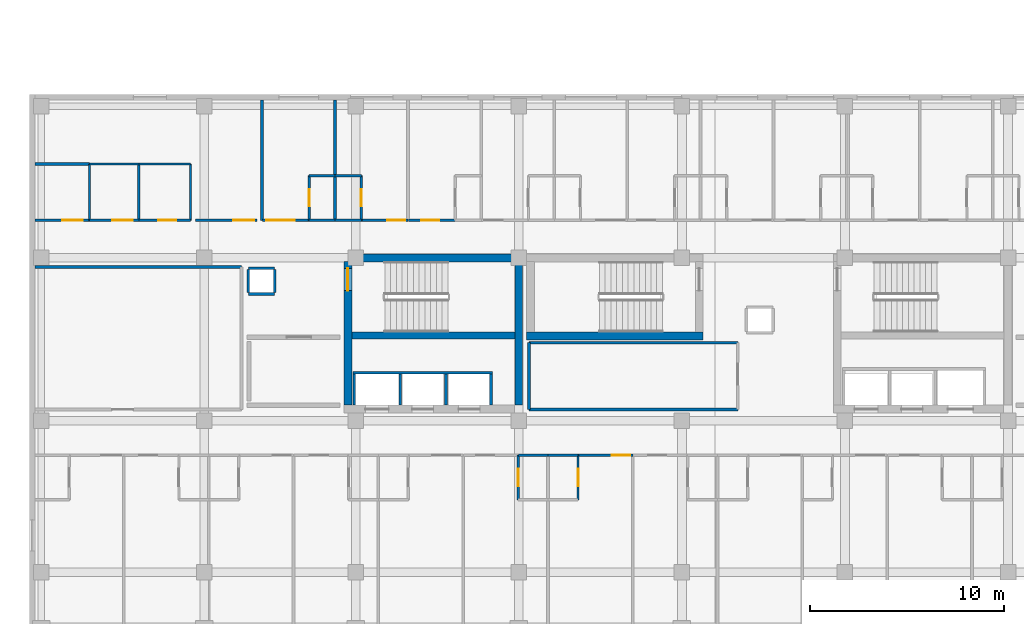
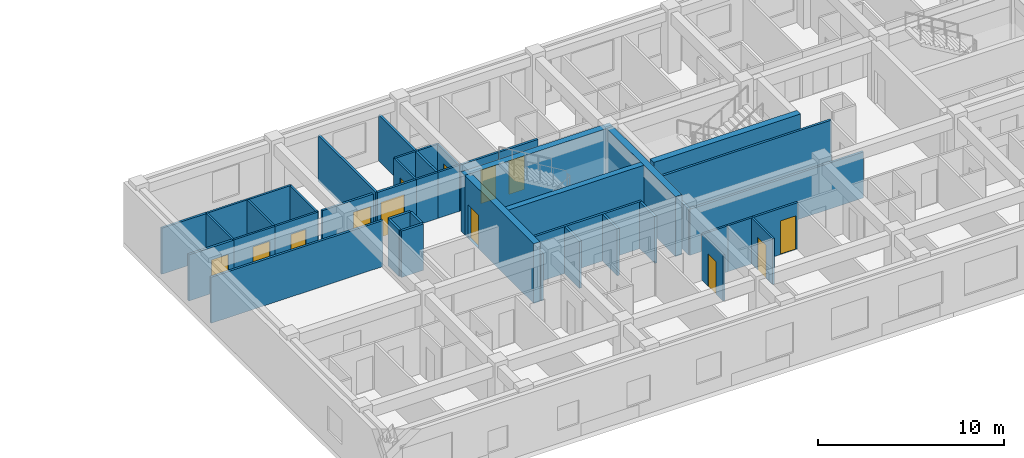
# One storey, part 96 of 127: 44 walls, 13 doors, 13 openings.
"""IFC4 building model written with IfcOpenShell, lengths in metres."""

from ifc_helpers import new_model, si_unit, direction, frame, frame_2d, origin, place, context, subcontext, project, spatial, rectangle, extrude, material, layer, layer_set, type_object, element, fill, save


model = new_model("IFC4")

# Units and contexts
model_context = context("Model", 3, precision=1e-05, world=origin(), true_north=direction((0.0, 1.0)))
body_context = subcontext(model_context, "Body", "Model", "MODEL_VIEW")
ifc_project = project(units=[si_unit("LENGTHUNIT", "METRE"), si_unit("AREAUNIT", "SQUARE_METRE"), si_unit("VOLUMEUNIT", "CUBIC_METRE"), si_unit("PLANEANGLEUNIT", "RADIAN"), si_unit("MASSUNIT", "GRAM", prefix="KILO")], contexts=[model_context])

# Site, building, storey
site_placement = place(None, origin())
site = spatial("IfcSite", under=ifc_project, at=site_placement, CompositionType="ELEMENT")
building_placement = place(site_placement, origin())
building = spatial("IfcBuilding", under=site, at=building_placement, Name="Zayran Congress Hotel", CompositionType="ELEMENT")
storey_placement = place(building_placement, frame((0.0, 0.0, 10.800048828125)))
storey = spatial("IfcBuildingStorey", under=building, at=storey_placement, Name="L02", CompositionType="ELEMENT", Elevation=10.800048828125)

# Wall
ifc_material_1 = material(Name="Concrete C40/50", Category="concrete")
ifc_layer_1 = layer(ifc_material_1, 0.39990234375)
ifc_layer_set_1 = layer_set([ifc_layer_1], Name="Concrete C40/50")
wall_type_1 = type_object("IfcWallType", Name="WL-SH-400", PredefinedType="SHEAR", material=ifc_layer_set_1)
wall_1_placement = place(storey_placement, frame((33.800048828125, 25.5849609375, 0.0), z_axis=(0.0, 0.0, 1.0), x_axis=(-1.0, 0.0, 0.0)))
element("IfcWall", 1, at=wall_1_placement, inside=storey, type_object=wall_type_1, Name="CWALL-C-V5W-L02-N", PredefinedType="SHEAR", context=body_context, shape_type="SweptSolid", body=[
    extrude(rectangle(XDim=9.199951171875, YDim=0.39990234375, at=frame_2d((4.60009765625, 0.0))), origin(), (0.0, 0.0, 1.0), 3.919921875),
])

# Wall, opening, door
wall_2_placement = place(storey_placement, frame((24.800048828125, 25.39990234375, 0.0), z_axis=(0.0, 0.0, 1.0), x_axis=(0.0, -1.0, 0.0)))
wall_2 = element("IfcWall", 2, at=wall_2_placement, inside=storey, type_object=wall_type_1, Name="CWALL-C-V5W-L02-W", PredefinedType="SHEAR", context=body_context, shape_type="SweptSolid", body=[
    extrude(rectangle(XDim=7.39990234375, YDim=0.39990234375, at=frame_2d((3.699951171875, 0.0))), origin(), (0.0, 0.0, 1.0), 3.919921875),
])
opening_1_placement = place(wall_2_placement, frame((0.35009765625, 0.0, 0.0)))
opening_1 = element("IfcOpeningElement", 3, at=opening_1_placement, cuts=wall_2, Name="Opening DR-FD-90", PredefinedType="OPENING", context=body_context, shape_type="SweptSolid", body=[
    extrude(rectangle(XDim=1.14990234375, YDim=2.199951171875, at=frame_2d((0.574951171875, 1.10009765625))), frame((0.0, 0.2099609375, 0.0), z_axis=(0.0, -1.0, 0.0), x_axis=(1.0, 0.0, 0.0)), (0.0, 0.0, 1.0), 0.419921875),
])
ifc_material_2 = material(Name="Painted steel fire door assembly", Category="steel")
door_type_1 = type_object("IfcDoorType", Name="TP-DR-FD-90", OperationType="NOTDEFINED", PredefinedType="DOOR", material=ifc_material_2)
door_1_placement = place(opening_1_placement, origin())
door_1 = element("IfcDoor", 4, at=door_1_placement, inside=storey, type_object=door_type_1, Name="ST-01 Exit Stair Door L02", OperationType="SINGLE_SWING_LEFT", OverallHeight=2.199951171875, OverallWidth=1.14990234375, PredefinedType="DOOR", context=body_context, shape_type="SweptSolid", body=[
    extrude(rectangle(XDim=1.14990234375, YDim=2.199951171875, at=frame_2d((0.574951171875, 1.10009765625))), frame((0.0, 0.02490234375, 0.0), z_axis=(0.0, -1.0, 0.0), x_axis=(1.0, 0.0, 0.0)), (0.0, 0.0, 1.0), 0.050048828125),
])
fill(opening_1, door_1)

# Walls
wall_3_placement = place(storey_placement, frame((33.60009765625, 18.0, 0.0), z_axis=(0.0, 0.0, 1.0), x_axis=(0.0, 1.0, 0.0)))
element("IfcWall", 5, at=wall_3_placement, inside=storey, type_object=wall_type_1, Name="CWALL-C-V5W-L02-E", PredefinedType="SHEAR", context=body_context, shape_type="SweptSolid", body=[
    extrude(rectangle(XDim=7.39990234375, YDim=0.39990234375, at=frame_2d((3.699951171875, 0.0))), origin(), (0.0, 0.0, 1.0), 3.919921875),
])
wall_4_placement = place(storey_placement, frame((34.0, 21.56005859375, 0.0), z_axis=(0.0, 0.0, 1.0), x_axis=(1.0, 0.0, 0.0)))
element("IfcWall", 6, at=wall_4_placement, inside=storey, type_object=wall_type_1, Name="CWALL-C-V5M-L02-S", PredefinedType="SHEAR", context=body_context, shape_type="SweptSolid", body=[
    extrude(rectangle(XDim=9.10009765625, YDim=0.39990234375, at=frame_2d((4.550048828125, 0.0))), origin(), (0.0, 0.0, 1.0), 3.919921875),
])
ifc_layer_2 = layer(ifc_material_1, 0.35009765625)
ifc_layer_set_2 = layer_set([ifc_layer_2], Name="Concrete C40/50")
wall_type_2 = type_object("IfcWallType", Name="WL-SH-350", PredefinedType="SHEAR", material=ifc_layer_set_2)
wall_5_placement = place(storey_placement, frame((25.0, 21.5849609375, 0.0), z_axis=(0.0, 0.0, 1.0), x_axis=(1.0, 0.0, 0.0)))
element("IfcWall", 7, at=wall_5_placement, inside=storey, type_object=wall_type_2, Name="CWALL-C-V5W-L02-SPN", PredefinedType="SHEAR", context=body_context, shape_type="SweptSolid", body=[
    extrude(rectangle(XDim=8.39990234375, YDim=0.35009765625, at=frame_2d((4.199951171875, 0.0))), origin(), (0.0, 0.0, 1.0), 3.919921875),
])
ifc_material_3 = material(Name="Hospitality guestroom acoustic partition", Category="gypsum")
ifc_layer_3 = layer(ifc_material_3, 0.139892578125)
ifc_layer_set_3 = layer_set([ifc_layer_3], Name="Hospitality guestroom acoustic partition")
wall_type_3 = type_object("IfcWallType", Name="WL-PT-140", PredefinedType="PARTITIONING", material=ifc_layer_set_3)
for number, where, z_axis, x_axis, name in (
    (8, (25.1298828125, 18.0, 0.0), (0.0, 0.0, 1.0), (0.0, 1.0, 0.0), "LSHW-C-V5W-L02-W"),
    (9, (27.5, 18.0, 0.0), (0.0, 0.0, 1.0), (0.0, 1.0, 0.0), "LSHW-C-V5W-L02-DIV1"),
    (10, (29.85009765625, 18.0, 0.0), (0.0, 0.0, 1.0), (0.0, 1.0, 0.0), "LSHW-C-V5W-L02-DIV2"),
    (11, (32.169921875, 18.0, 0.0), (0.0, 0.0, 1.0), (0.0, 1.0, 0.0), "LSHW-C-V5W-L02-E"),
):
    element("IfcWall", number, at=place(storey_placement, frame(where, z_axis=z_axis, x_axis=x_axis)), inside=storey, type_object=wall_type_3, Name=name, PredefinedType="PARTITIONING", context=body_context, shape_type="SweptSolid", body=[
        extrude(rectangle(XDim=1.60009765625, YDim=0.139892578125, at=frame_2d((0.800048828125, 0.0))), origin(), (0.0, 0.0, 1.0), 3.070068359375),
    ])
wall_6_placement = place(storey_placement, frame((25.06005859375, 19.669921875, 0.0), z_axis=(0.0, 0.0, 1.0), x_axis=(1.0, 0.0, 0.0)))
element("IfcWall", 12, at=wall_6_placement, inside=storey, type_object=wall_type_3, Name="LSHW-C-V5W-L02-N", PredefinedType="PARTITIONING", context=body_context, shape_type="SweptSolid", body=[
    extrude(rectangle(XDim=7.179931640625, YDim=0.139892578125, at=frame_2d((3.58984375, 0.0))), origin(), (0.0, 0.0, 1.0), 3.070068359375),
])

# Wall, opening, door
wall_7_placement = place(storey_placement, frame((36.64990234375, 15.419921875, 0.0), z_axis=(0.0, 0.0, 1.0), x_axis=(1.0, 0.0, 0.0)))
wall_7 = element("IfcWall", 13, at=wall_7_placement, inside=storey, type_object=wall_type_3, Name="IW-L02-0522", PredefinedType="PARTITIONING", context=body_context, shape_type="SweptSolid", body=[
    extrude(rectangle(XDim=2.819091796875, YDim=0.139892578125, at=frame_2d((1.40966796875, 0.0))), origin(), (0.0, 0.0, 1.0), 3.02001953125),
])
opening_2_placement = place(wall_7_placement, frame((1.739013671875, 0.0, 0.0)))
opening_2 = element("IfcOpeningElement", 14, at=opening_2_placement, cuts=wall_7, Name="Opening DR-GR-01", PredefinedType="OPENING", context=body_context, shape_type="SweptSolid", body=[
    extrude(rectangle(XDim=0.93994140625, YDim=2.199951171875, at=frame_2d((0.469970703125, 1.10009765625))), frame((0.0, 0.079833984375, 0.0), z_axis=(0.0, -1.0, 0.0), x_axis=(1.0, 0.0, 0.0)), (0.0, 0.0, 1.0), 0.159912109375),
])
ifc_material_4 = material(Name="Acoustic walnut veneer fire-rated entry door", Category="wood")
door_type_2 = type_object("IfcDoorType", Name="TP-DR-GR-01", OperationType="NOTDEFINED", PredefinedType="DOOR", material=ifc_material_4)
door_2_placement = place(opening_2_placement, origin())
door_2 = element("IfcDoor", 15, at=door_2_placement, inside=storey, type_object=door_type_2, Name="Guest Room L02-07 Door", OperationType="SINGLE_SWING_RIGHT", OverallHeight=2.199951171875, OverallWidth=0.93994140625, PredefinedType="DOOR", context=body_context, shape_type="SweptSolid", body=[
    extrude(rectangle(XDim=0.93994140625, YDim=2.199951171875, at=frame_2d((0.469970703125, 1.10009765625))), frame((0.0, 0.02490234375, 0.0), z_axis=(0.0, -1.0, 0.0), x_axis=(1.0, 0.0, 0.0)), (0.0, 0.0, 1.0), 0.050048828125),
])
fill(opening_2, door_2)

wall_8_placement = place(storey_placement, frame((8.679931640625, 27.530029296875, 0.0), z_axis=(0.0, 0.0, 1.0), x_axis=(1.0, 0.0, 0.0)))
wall_8 = element("IfcWall", 16, at=wall_8_placement, inside=storey, type_object=wall_type_3, Name="IW-L02-0535", PredefinedType="PARTITIONING", context=body_context, shape_type="SweptSolid", body=[
    extrude(rectangle(XDim=2.800048828125, YDim=0.139892578125, at=frame_2d((1.39990234375, 0.0))), origin(), (0.0, 0.0, 1.0), 3.02001953125),
])
opening_3_placement = place(wall_8_placement, frame((1.409912109375, 0.0, 0.0)))
opening_3 = element("IfcOpeningElement", 17, at=opening_3_placement, cuts=wall_8, Name="Opening DR-PL-02", PredefinedType="OPENING", context=body_context, shape_type="SweptSolid", body=[
    extrude(rectangle(XDim=1.06005859375, YDim=2.199951171875, at=frame_2d((0.530029296875, 1.10009765625))), frame((0.0, 0.079833984375, 0.0), z_axis=(0.0, -1.0, 0.0), x_axis=(1.0, 0.0, 0.0)), (0.0, 0.0, 1.0), 0.159912109375),
])
ifc_material_5 = material(Name="Painted steel store room fire door", Category="steel")
door_type_3 = type_object("IfcDoorType", Name="TP-DR-PL-02", OperationType="NOTDEFINED", PredefinedType="DOOR", material=ifc_material_5)
door_3_placement = place(opening_3_placement, origin())
door_3 = element("IfcDoor", 18, at=door_3_placement, inside=storey, type_object=door_type_3, Name="Housekeeping and Linen Store L02 Door", OperationType="SINGLE_SWING_LEFT", OverallHeight=2.199951171875, OverallWidth=1.06005859375, PredefinedType="DOOR", context=body_context, shape_type="SweptSolid", body=[
    extrude(rectangle(XDim=1.06005859375, YDim=2.199951171875, at=frame_2d((0.530029296875, 1.10009765625))), frame((0.0, 0.02490234375, 0.0), z_axis=(0.0, -1.0, 0.0), x_axis=(1.0, 0.0, 0.0)), (0.0, 0.0, 1.0), 0.050048828125),
])
fill(opening_3, door_3)

wall_9_placement = place(storey_placement, frame((16.9599609375, 27.530029296875, 0.0), z_axis=(0.0, 0.0, 1.0), x_axis=(1.0, 0.0, 0.0)))
wall_9 = element("IfcWall", 19, at=wall_9_placement, inside=storey, type_object=wall_type_3, Name="IW-L02-0536", PredefinedType="PARTITIONING", context=body_context, shape_type="SweptSolid", body=[
    extrude(rectangle(XDim=3.16015625, YDim=0.139892578125, at=frame_2d((1.580078125, 0.0))), origin(), (0.0, 0.0, 1.0), 3.02001953125),
])
opening_4_placement = place(wall_9_placement, frame((1.93994140625, 0.0, 0.0)))
opening_4 = element("IfcOpeningElement", 20, at=opening_4_placement, cuts=wall_9, Name="Opening DR-MT-01", PredefinedType="OPENING", context=body_context, shape_type="SweptSolid", body=[
    extrude(rectangle(XDim=1.080078125, YDim=2.25, at=frame_2d((0.5400390625, 1.125))), frame((0.0, 0.079833984375, 0.0), z_axis=(0.0, -1.0, 0.0), x_axis=(1.0, 0.0, 0.0)), (0.0, 0.0, 1.0), 0.159912109375),
])
ifc_material_6 = material(Name="Acoustic timber seminar room door", Category="wood")
door_type_4 = type_object("IfcDoorType", Name="TP-DR-MT-01", OperationType="NOTDEFINED", PredefinedType="DOOR", material=ifc_material_6)
door_4_placement = place(opening_4_placement, origin())
door_4 = element("IfcDoor", 21, at=door_4_placement, inside=storey, type_object=door_type_4, Name="Hospitality Meeting Room L02 Door", OperationType="SINGLE_SWING_RIGHT", OverallHeight=2.25, OverallWidth=1.080078125, PredefinedType="DOOR", context=body_context, shape_type="SweptSolid", body=[
    extrude(rectangle(XDim=1.080078125, YDim=2.25, at=frame_2d((0.5400390625, 1.125))), frame((0.0, 0.02490234375, 0.0), z_axis=(0.0, -1.0, 0.0), x_axis=(1.0, 0.0, 0.0)), (0.0, 0.0, 1.0), 0.050048828125),
])
fill(opening_4, door_4)

wall_10_placement = place(storey_placement, frame((20.389892578125, 27.530029296875, 0.0), z_axis=(0.0, 0.0, 1.0), x_axis=(1.0, 0.0, 0.0)))
wall_10 = element("IfcWall", 22, at=wall_10_placement, inside=storey, type_object=wall_type_3, Name="IW-L02-0537", PredefinedType="PARTITIONING", context=body_context, shape_type="SweptSolid", body=[
    extrude(rectangle(XDim=2.4150390625, YDim=0.139892578125, at=frame_2d((1.20751953125, 0.0))), origin(), (0.0, 0.0, 1.0), 3.02001953125),
])
opening_5_placement = place(wall_10_placement, frame((0.212890625, 0.0, 0.0)))
opening_5 = element("IfcOpeningElement", 23, at=opening_5_placement, cuts=wall_10, Name="Opening DR-ST-01", PredefinedType="OPENING", context=body_context, shape_type="SweptSolid", body=[
    extrude(rectangle(XDim=1.449951171875, YDim=2.300048828125, at=frame_2d((0.72509765625, 1.14990234375))), frame((0.0, 0.079833984375, 0.0), z_axis=(0.0, -1.0, 0.0), x_axis=(1.0, 0.0, 0.0)), (0.0, 0.0, 1.0), 0.159912109375),
])
ifc_material_7 = material(Name="Double walnut veneer suite entry door", Category="wood")
door_type_5 = type_object("IfcDoorType", Name="TP-DR-ST-01", OperationType="DOUBLE_DOOR_SINGLE_SWING", PredefinedType="DOOR", material=ifc_material_7)
door_5_placement = place(opening_5_placement, origin())
door_5 = element("IfcDoor", 24, at=door_5_placement, inside=storey, type_object=door_type_5, Name="Executive Suite L02-20 Door", OperationType="DOUBLE_DOOR_SINGLE_SWING", OverallHeight=2.300048828125, OverallWidth=1.449951171875, PredefinedType="DOOR", context=body_context, shape_type="SweptSolid", body=[
    extrude(rectangle(XDim=1.449951171875, YDim=2.300048828125, at=frame_2d((0.72509765625, 1.14990234375))), frame((0.0, 0.02490234375, 0.0), z_axis=(0.0, -1.0, 0.0), x_axis=(1.0, 0.0, 0.0)), (0.0, 0.0, 1.0), 0.050048828125),
])
fill(opening_5, door_5)

wall_11_placement = place(storey_placement, frame((25.48291015625, 27.530029296875, 0.0), z_axis=(0.0, 0.0, 1.0), x_axis=(1.0, 0.0, 0.0)))
wall_11 = element("IfcWall", 25, at=wall_11_placement, inside=storey, type_object=wall_type_3, Name="IW-L02-0538", PredefinedType="PARTITIONING", context=body_context, shape_type="SweptSolid", body=[
    extrude(rectangle(XDim=2.4150390625, YDim=0.139892578125, at=frame_2d((1.20751953125, 0.0))), origin(), (0.0, 0.0, 1.0), 3.02001953125),
])
opening_6_placement = place(wall_11_placement, frame((1.3349609375, 0.0, 0.0)))
opening_6 = element("IfcOpeningElement", 26, at=opening_6_placement, cuts=wall_11, Name="Opening DR-GR-01", PredefinedType="OPENING", context=body_context, shape_type="SweptSolid", body=[
    extrude(rectangle(XDim=0.93994140625, YDim=2.199951171875, at=frame_2d((0.469970703125, 1.10009765625))), frame((0.0, 0.079833984375, 0.0), z_axis=(0.0, -1.0, 0.0), x_axis=(1.0, 0.0, 0.0)), (0.0, 0.0, 1.0), 0.159912109375),
])
door_6_placement = place(opening_6_placement, origin())
door_6 = element("IfcDoor", 27, at=door_6_placement, inside=storey, type_object=door_type_2, Name="Guest Room L02-21 Door", OperationType="SINGLE_SWING_LEFT", OverallHeight=2.199951171875, OverallWidth=0.93994140625, PredefinedType="DOOR", context=body_context, shape_type="SweptSolid", body=[
    extrude(rectangle(XDim=0.93994140625, YDim=2.199951171875, at=frame_2d((0.469970703125, 1.10009765625))), frame((0.0, 0.02490234375, 0.0), z_axis=(0.0, -1.0, 0.0), x_axis=(1.0, 0.0, 0.0)), (0.0, 0.0, 1.0), 0.050048828125),
])
fill(opening_6, door_6)

wall_12_placement = place(storey_placement, frame((27.91796875, 27.530029296875, 0.0), z_axis=(0.0, 0.0, 1.0), x_axis=(1.0, 0.0, 0.0)))
wall_12 = element("IfcWall", 28, at=wall_12_placement, inside=storey, type_object=wall_type_3, Name="IW-L02-0539", PredefinedType="PARTITIONING", context=body_context, shape_type="SweptSolid", body=[
    extrude(rectangle(XDim=2.4150390625, YDim=0.139892578125, at=frame_2d((1.20751953125, 0.0))), origin(), (0.0, 0.0, 1.0), 3.02001953125),
])
opening_7_placement = place(wall_12_placement, frame((0.652099609375, 0.0, 0.0)))
opening_7 = element("IfcOpeningElement", 29, at=opening_7_placement, cuts=wall_12, Name="Opening DR-GR-01", PredefinedType="OPENING", context=body_context, shape_type="SweptSolid", body=[
    extrude(rectangle(XDim=0.93994140625, YDim=2.199951171875, at=frame_2d((0.469970703125, 1.10009765625))), frame((0.0, 0.079833984375, 0.0), z_axis=(0.0, -1.0, 0.0), x_axis=(1.0, 0.0, 0.0)), (0.0, 0.0, 1.0), 0.159912109375),
])
door_7_placement = place(opening_7_placement, origin())
door_7 = element("IfcDoor", 30, at=door_7_placement, inside=storey, type_object=door_type_2, Name="Guest Room L02-22 Door", OperationType="SINGLE_SWING_RIGHT", OverallHeight=2.199951171875, OverallWidth=0.93994140625, PredefinedType="DOOR", context=body_context, shape_type="SweptSolid", body=[
    extrude(rectangle(XDim=0.93994140625, YDim=2.199951171875, at=frame_2d((0.469970703125, 1.10009765625))), frame((0.0, 0.02490234375, 0.0), z_axis=(0.0, -1.0, 0.0), x_axis=(1.0, 0.0, 0.0)), (0.0, 0.0, 1.0), 0.050048828125),
])
fill(opening_7, door_7)

# Walls
for number, where, z_axis, x_axis, name in (
    (31, (34.1201171875, 17.780029296875, 0.0), (0.0, 0.0, 1.0), (1.0, 0.0, 0.0), "IW-L02-1825"),
    (32, (34.1201171875, 21.219970703125, 0.0), (0.0, 0.0, 1.0), (1.0, 0.0, 0.0), "IW-L02-1826"),
):
    element("IfcWall", number, at=place(storey_placement, frame(where, z_axis=z_axis, x_axis=x_axis)), inside=storey, type_object=wall_type_3, Name=name, PredefinedType="PARTITIONING", context=body_context, shape_type="SweptSolid", body=[
        extrude(rectangle(XDim=10.759765625, YDim=0.139892578125, at=frame_2d((5.3798828125, 0.0))), origin(), (0.0, 0.0, 1.0), 3.02001953125),
    ])
wall_13_placement = place(storey_placement, frame((34.1298828125, 17.77001953125, 0.0), z_axis=(0.0, 0.0, 1.0), x_axis=(0.0, 1.0, 0.0)))
element("IfcWall", 33, at=wall_13_placement, inside=storey, type_object=wall_type_3, Name="IW-L02-1827", PredefinedType="PARTITIONING", context=body_context, shape_type="SweptSolid", body=[
    extrude(rectangle(XDim=3.4599609375, YDim=0.139892578125, at=frame_2d((1.72998046875, 0.0))), origin(), (0.0, 0.0, 1.0), 3.02001953125),
])
wall_14_placement = place(storey_placement, frame((8.679931640625, 25.1201171875, 0.0), z_axis=(0.0, 0.0, 1.0), x_axis=(1.0, 0.0, 0.0)))
element("IfcWall", 34, at=wall_14_placement, inside=storey, type_object=wall_type_3, Name="IW-L02-1828", PredefinedType="PARTITIONING", context=body_context, shape_type="SweptSolid", body=[
    extrude(rectangle(XDim=10.650146484375, YDim=0.139892578125, at=frame_2d((5.3251953125, 0.0))), origin(), (0.0, 0.0, 1.0), 3.02001953125),
])
wall_15_placement = place(storey_placement, frame((8.679931640625, 30.419921875, 0.0), z_axis=(0.0, 0.0, 1.0), x_axis=(1.0, 0.0, 0.0)))
element("IfcWall", 35, at=wall_15_placement, inside=storey, type_object=wall_type_3, Name="IW-L02-1850", PredefinedType="PARTITIONING", context=body_context, shape_type="SweptSolid", body=[
    extrude(rectangle(XDim=2.800048828125, YDim=0.139892578125, at=frame_2d((1.39990234375, 0.0))), origin(), (0.0, 0.0, 1.0), 3.02001953125),
])
for number, where, z_axis, x_axis, name in (
    (36, (20.3701171875, 27.52001953125, 0.0), (0.0, 0.0, 1.0), (0.0, 1.0, 0.0), "IW-L02-1851"),
    (37, (24.134033203125, 27.52001953125, 0.0), (0.0, 0.0, 1.0), (0.0, 1.0, 0.0), "IW-L02-1852"),
):
    element("IfcWall", number, at=place(storey_placement, frame(where, z_axis=z_axis, x_axis=x_axis)), inside=storey, type_object=wall_type_3, Name=name, PredefinedType="PARTITIONING", context=body_context, shape_type="SweptSolid", body=[
        extrude(rectangle(XDim=6.199951171875, YDim=0.139892578125, at=frame_2d((3.10009765625, 0.0))), origin(), (0.0, 0.0, 1.0), 3.02001953125),
    ])
for number, where, z_axis, x_axis, name in (
    (38, (19.669921875, 23.72998046875, 0.0), (0.0, 0.0, 1.0), (1.0, 0.0, 0.0), "RSWL-V5-L02-029-S"),
    (39, (21.030029296875, 25.050048828125, 0.0), (0.0, 0.0, 1.0), (-1.0, 0.0, 0.0), "RSWL-V5-L02-029-N"),
):
    element("IfcWall", number, at=place(storey_placement, frame(where, z_axis=z_axis, x_axis=x_axis)), inside=storey, type_object=wall_type_3, Name=name, PredefinedType="PARTITIONING", context=body_context, shape_type="SweptSolid", body=[
        extrude(rectangle(XDim=1.360107421875, YDim=0.139892578125, at=frame_2d((0.68017578125, 0.0))), origin(), (0.0, 0.0, 1.0), 3.0400390625),
    ])
for number, where, z_axis, x_axis, name in (
    (40, (19.669921875, 24.97998046875, 0.0), (0.0, 0.0, 1.0), (0.0, -1.0, 0.0), "RSWL-V5-L02-029-W"),
    (41, (21.030029296875, 23.800048828125, 0.0), (0.0, 0.0, 1.0), (0.0, 1.0, 0.0), "RSWL-V5-L02-029-E"),
):
    element("IfcWall", number, at=place(storey_placement, frame(where, z_axis=z_axis, x_axis=x_axis)), inside=storey, type_object=wall_type_3, Name=name, PredefinedType="PARTITIONING", context=body_context, shape_type="SweptSolid", body=[
        extrude(rectangle(XDim=1.179931640625, YDim=0.139892578125, at=frame_2d((0.58984375, 0.0))), origin(), (0.0, 0.0, 1.0), 3.0400390625),
    ])

# Wall, opening, door
ifc_material_8 = material(Name="Moisture-resistant bathroom partition", Category="gypsum")
ifc_layer_4 = layer(ifc_material_8, 0.1201171875)
ifc_layer_set_4 = layer_set([ifc_layer_4], Name="Moisture-resistant bathroom partition")
wall_type_4 = type_object("IfcWallType", Name="WL-PT-120", PredefinedType="PARTITIONING", material=ifc_layer_set_4)
wall_16_placement = place(storey_placement, frame((33.572021484375, 13.1201171875, 0.0), z_axis=(0.0, 0.0, 1.0), x_axis=(0.0, 1.0, 0.0)))
wall_16 = element("IfcWall", 42, at=wall_16_placement, inside=storey, type_object=wall_type_4, Name="IW-L02-0058", PredefinedType="PARTITIONING", context=body_context, shape_type="SweptSolid", body=[
    extrude(rectangle(XDim=2.309814453125, YDim=0.1201171875, at=frame_2d((1.15478515625, 0.0))), origin(), (0.0, 0.0, 1.0), 3.02001953125),
])
opening_8_placement = place(wall_16_placement, frame((0.715087890625, 0.0, 0.0)))
opening_8 = element("IfcOpeningElement", 43, at=opening_8_placement, cuts=wall_16, Name="Opening DR-BT-01", PredefinedType="OPENING", context=body_context, shape_type="SweptSolid", body=[
    extrude(rectangle(XDim=0.8798828125, YDim=2.14990234375, at=frame_2d((0.43994140625, 1.074951171875))), frame((0.0, 0.070068359375, 0.0), z_axis=(0.0, -1.0, 0.0), x_axis=(1.0, 0.0, 0.0)), (0.0, 0.0, 1.0), 0.14013671875),
])
ifc_material_9 = material(Name="Moisture-resistant oak en-suite door", Category="wood")
door_type_6 = type_object("IfcDoorType", Name="TP-DR-BT-01", OperationType="NOTDEFINED", PredefinedType="DOOR", material=ifc_material_9)
door_8_placement = place(opening_8_placement, origin())
door_8 = element("IfcDoor", 44, at=door_8_placement, inside=storey, type_object=door_type_6, Name="En-Suite Bathroom L02-06 Door", OperationType="SINGLE_SWING_LEFT", OverallHeight=2.14990234375, OverallWidth=0.8798828125, PredefinedType="DOOR", context=body_context, shape_type="SweptSolid", body=[
    extrude(rectangle(XDim=0.8798828125, YDim=2.14990234375, at=frame_2d((0.43994140625, 1.074951171875))), frame((0.0, 0.02490234375, 0.0), z_axis=(0.0, -1.0, 0.0), x_axis=(1.0, 0.0, 0.0)), (0.0, 0.0, 1.0), 0.050048828125),
])
fill(opening_8, door_8)

wall_17_placement = place(storey_placement, frame((36.64990234375, 13.1201171875, 0.0), z_axis=(0.0, 0.0, 1.0), x_axis=(0.0, 1.0, 0.0)))
wall_17 = element("IfcWall", 45, at=wall_17_placement, inside=storey, type_object=wall_type_4, Name="IW-L02-0059", PredefinedType="PARTITIONING", context=body_context, shape_type="SweptSolid", body=[
    extrude(rectangle(XDim=2.309814453125, YDim=0.1201171875, at=frame_2d((1.15478515625, 0.0))), origin(), (0.0, 0.0, 1.0), 3.02001953125),
])
opening_9_placement = place(wall_17_placement, frame((0.715087890625, 0.0, 0.0)))
opening_9 = element("IfcOpeningElement", 46, at=opening_9_placement, cuts=wall_17, Name="Opening DR-BT-01", PredefinedType="OPENING", context=body_context, shape_type="SweptSolid", body=[
    extrude(rectangle(XDim=0.8798828125, YDim=2.14990234375, at=frame_2d((0.43994140625, 1.074951171875))), frame((0.0, 0.070068359375, 0.0), z_axis=(0.0, -1.0, 0.0), x_axis=(1.0, 0.0, 0.0)), (0.0, 0.0, 1.0), 0.14013671875),
])
door_9_placement = place(opening_9_placement, origin())
door_9 = element("IfcDoor", 47, at=door_9_placement, inside=storey, type_object=door_type_6, Name="En-Suite Bathroom L02-07 Door", OperationType="SINGLE_SWING_RIGHT", OverallHeight=2.14990234375, OverallWidth=0.8798828125, PredefinedType="DOOR", context=body_context, shape_type="SweptSolid", body=[
    extrude(rectangle(XDim=0.8798828125, YDim=2.14990234375, at=frame_2d((0.43994140625, 1.074951171875))), frame((0.0, 0.02490234375, 0.0), z_axis=(0.0, -1.0, 0.0), x_axis=(1.0, 0.0, 0.0)), (0.0, 0.0, 1.0), 0.050048828125),
])
fill(opening_9, door_9)

wall_18_placement = place(storey_placement, frame((22.804931640625, 27.52001953125, 0.0), z_axis=(0.0, 0.0, 1.0), x_axis=(0.0, 1.0, 0.0)))
wall_18 = element("IfcWall", 48, at=wall_18_placement, inside=storey, type_object=wall_type_4, Name="IW-L02-0072", PredefinedType="PARTITIONING", context=body_context, shape_type="SweptSolid", body=[
    extrude(rectangle(XDim=2.31005859375, YDim=0.1201171875, at=frame_2d((1.155029296875, 0.0))), origin(), (0.0, 0.0, 1.0), 3.02001953125),
])
opening_10_placement = place(wall_18_placement, frame((0.715087890625, 0.0, 0.0)))
opening_10 = element("IfcOpeningElement", 49, at=opening_10_placement, cuts=wall_18, Name="Opening DR-BT-01", PredefinedType="OPENING", context=body_context, shape_type="SweptSolid", body=[
    extrude(rectangle(XDim=0.8798828125, YDim=2.14990234375, at=frame_2d((0.43994140625, 1.074951171875))), frame((0.0, 0.070068359375, 0.0), z_axis=(0.0, -1.0, 0.0), x_axis=(1.0, 0.0, 0.0)), (0.0, 0.0, 1.0), 0.14013671875),
])
door_10_placement = place(opening_10_placement, origin())
door_10 = element("IfcDoor", 50, at=door_10_placement, inside=storey, type_object=door_type_6, Name="En-Suite Bathroom L02-20 Door", OperationType="SINGLE_SWING_LEFT", OverallHeight=2.14990234375, OverallWidth=0.8798828125, PredefinedType="DOOR", context=body_context, shape_type="SweptSolid", body=[
    extrude(rectangle(XDim=0.8798828125, YDim=2.14990234375, at=frame_2d((0.43994140625, 1.074951171875))), frame((0.0, 0.02490234375, 0.0), z_axis=(0.0, -1.0, 0.0), x_axis=(1.0, 0.0, 0.0)), (0.0, 0.0, 1.0), 0.050048828125),
])
fill(opening_10, door_10)

wall_19_placement = place(storey_placement, frame((25.48291015625, 27.52001953125, 0.0), z_axis=(0.0, 0.0, 1.0), x_axis=(0.0, 1.0, 0.0)))
wall_19 = element("IfcWall", 51, at=wall_19_placement, inside=storey, type_object=wall_type_4, Name="IW-L02-0073", PredefinedType="PARTITIONING", context=body_context, shape_type="SweptSolid", body=[
    extrude(rectangle(XDim=2.31005859375, YDim=0.1201171875, at=frame_2d((1.155029296875, 0.0))), origin(), (0.0, 0.0, 1.0), 3.02001953125),
])
opening_11_placement = place(wall_19_placement, frame((0.715087890625, 0.0, 0.0)))
opening_11 = element("IfcOpeningElement", 52, at=opening_11_placement, cuts=wall_19, Name="Opening DR-BT-01", PredefinedType="OPENING", context=body_context, shape_type="SweptSolid", body=[
    extrude(rectangle(XDim=0.8798828125, YDim=2.14990234375, at=frame_2d((0.43994140625, 1.074951171875))), frame((0.0, 0.070068359375, 0.0), z_axis=(0.0, -1.0, 0.0), x_axis=(1.0, 0.0, 0.0)), (0.0, 0.0, 1.0), 0.14013671875),
])
door_11_placement = place(opening_11_placement, origin())
door_11 = element("IfcDoor", 53, at=door_11_placement, inside=storey, type_object=door_type_6, Name="En-Suite Bathroom L02-21 Door", OperationType="SINGLE_SWING_RIGHT", OverallHeight=2.14990234375, OverallWidth=0.8798828125, PredefinedType="DOOR", context=body_context, shape_type="SweptSolid", body=[
    extrude(rectangle(XDim=0.8798828125, YDim=2.14990234375, at=frame_2d((0.43994140625, 1.074951171875))), frame((0.0, 0.02490234375, 0.0), z_axis=(0.0, -1.0, 0.0), x_axis=(1.0, 0.0, 0.0)), (0.0, 0.0, 1.0), 0.050048828125),
])
fill(opening_11, door_11)

wall_20_placement = place(storey_placement, frame((11.47998046875, 27.530029296875, 0.0), z_axis=(0.0, 0.0, 1.0), x_axis=(1.0, 0.0, 0.0)))
wall_20 = element("IfcWall", 54, at=wall_20_placement, inside=storey, type_object=wall_type_4, Name="IW-L02-0357", PredefinedType="PARTITIONING", context=body_context, shape_type="SweptSolid", body=[
    extrude(rectangle(XDim=2.56005859375, YDim=0.1201171875, at=frame_2d((1.280029296875, 0.0))), origin(), (0.0, 0.0, 1.0), 3.02001953125),
])
opening_12_placement = place(wall_20_placement, frame((1.18994140625, 0.0, 0.0)))
opening_12 = element("IfcOpeningElement", 55, at=opening_12_placement, cuts=wall_20, Name="Opening DR-WC-02", PredefinedType="OPENING", context=body_context, shape_type="SweptSolid", body=[
    extrude(rectangle(XDim=1.0400390625, YDim=2.14990234375, at=frame_2d((0.52001953125, 1.074951171875))), frame((0.0, 0.070068359375, 0.0), z_axis=(0.0, -1.0, 0.0), x_axis=(1.0, 0.0, 0.0)), (0.0, 0.0, 1.0), 0.14013671875),
])
ifc_material_10 = material(Name="Accessible public washroom door", Category="steel")
door_type_7 = type_object("IfcDoorType", Name="TP-DR-WC-02", OperationType="NOTDEFINED", PredefinedType="DOOR", material=ifc_material_10)
door_12_placement = place(opening_12_placement, origin())
door_12 = element("IfcDoor", 56, at=door_12_placement, inside=storey, type_object=door_type_7, Name="Accessible WC L02 Door", OperationType="SINGLE_SWING_RIGHT", OverallHeight=2.14990234375, OverallWidth=1.0400390625, PredefinedType="DOOR", context=body_context, shape_type="SweptSolid", body=[
    extrude(rectangle(XDim=1.0400390625, YDim=2.14990234375, at=frame_2d((0.52001953125, 1.074951171875))), frame((0.0, 0.02490234375, 0.0), z_axis=(0.0, -1.0, 0.0), x_axis=(1.0, 0.0, 0.0)), (0.0, 0.0, 1.0), 0.050048828125),
])
fill(opening_12, door_12)

wall_21_placement = place(storey_placement, frame((14.0400390625, 27.530029296875, 0.0), z_axis=(0.0, 0.0, 1.0), x_axis=(1.0, 0.0, 0.0)))
wall_21 = element("IfcWall", 57, at=wall_21_placement, inside=storey, type_object=wall_type_4, Name="IW-L02-0358", PredefinedType="PARTITIONING", context=body_context, shape_type="SweptSolid", body=[
    extrude(rectangle(XDim=2.659912109375, YDim=0.1201171875, at=frame_2d((1.330078125, 0.0))), origin(), (0.0, 0.0, 1.0), 3.02001953125),
])
opening_13_placement = place(wall_21_placement, frame((0.986083984375, 0.0, 0.0)))
opening_13 = element("IfcOpeningElement", 58, at=opening_13_placement, cuts=wall_21, Name="Opening DR-WC-01", PredefinedType="OPENING", context=body_context, shape_type="SweptSolid", body=[
    extrude(rectangle(XDim=0.919921875, YDim=2.14990234375, at=frame_2d((0.4599609375, 1.074951171875))), frame((0.0, 0.070068359375, 0.0), z_axis=(0.0, -1.0, 0.0), x_axis=(1.0, 0.0, 0.0)), (0.0, 0.0, 1.0), 0.14013671875),
])
ifc_material_11 = material(Name="Laminated timber public washroom door", Category="wood")
door_type_8 = type_object("IfcDoorType", Name="TP-DR-WC-01", OperationType="NOTDEFINED", PredefinedType="DOOR", material=ifc_material_11)
door_13_placement = place(opening_13_placement, origin())
door_13 = element("IfcDoor", 59, at=door_13_placement, inside=storey, type_object=door_type_8, Name="Public WC L02 Door", OperationType="SINGLE_SWING_LEFT", OverallHeight=2.14990234375, OverallWidth=0.919921875, PredefinedType="DOOR", context=body_context, shape_type="SweptSolid", body=[
    extrude(rectangle(XDim=0.919921875, YDim=2.14990234375, at=frame_2d((0.4599609375, 1.074951171875))), frame((0.0, 0.02490234375, 0.0), z_axis=(0.0, -1.0, 0.0), x_axis=(1.0, 0.0, 0.0)), (0.0, 0.0, 1.0), 0.050048828125),
])
fill(opening_13, door_13)

# Walls
wall_22_placement = place(storey_placement, frame((33.572021484375, 15.419921875, 0.0), z_axis=(0.0, 0.0, 1.0), x_axis=(1.0, 0.0, 0.0)))
element("IfcWall", 60, at=wall_22_placement, inside=storey, type_object=wall_type_4, Name="IW-L02-0984", PredefinedType="PARTITIONING", context=body_context, shape_type="SweptSolid", body=[
    extrude(rectangle(XDim=1.5390625, YDim=0.1201171875, at=frame_2d((0.76953125, 0.0))), origin(), (0.0, 0.0, 1.0), 3.02001953125),
])
wall_23_placement = place(storey_placement, frame((35.111083984375, 15.419921875, 0.0), z_axis=(0.0, 0.0, 1.0), x_axis=(1.0, 0.0, 0.0)))
element("IfcWall", 61, at=wall_23_placement, inside=storey, type_object=wall_type_4, Name="IW-L02-0986", PredefinedType="PARTITIONING", context=body_context, shape_type="SweptSolid", body=[
    extrude(rectangle(XDim=1.548828125, YDim=0.1201171875, at=frame_2d((0.7744140625, 0.0))), origin(), (0.0, 0.0, 1.0), 3.02001953125),
])
for number, where, z_axis, x_axis, name in (
    (62, (22.794921875, 27.530029296875, 0.0), (0.0, 0.0, 1.0), (1.0, 0.0, 0.0), "IW-L02-1011"),
    (63, (22.794921875, 29.820068359375, 0.0), (0.0, 0.0, 1.0), (1.0, 0.0, 0.0), "IW-L02-1012"),
):
    element("IfcWall", number, at=place(storey_placement, frame(where, z_axis=z_axis, x_axis=x_axis)), inside=storey, type_object=wall_type_4, Name=name, PredefinedType="PARTITIONING", context=body_context, shape_type="SweptSolid", body=[
        extrude(rectangle(XDim=1.34912109375, YDim=0.1201171875, at=frame_2d((0.674560546875, 0.0))), origin(), (0.0, 0.0, 1.0), 3.02001953125),
    ])
for number, where, z_axis, x_axis, name in (
    (64, (24.14404296875, 27.530029296875, 0.0), (0.0, 0.0, 1.0), (1.0, 0.0, 0.0), "IW-L02-1013"),
    (65, (24.14404296875, 29.820068359375, 0.0), (0.0, 0.0, 1.0), (1.0, 0.0, 0.0), "IW-L02-1014"),
):
    element("IfcWall", number, at=place(storey_placement, frame(where, z_axis=z_axis, x_axis=x_axis)), inside=storey, type_object=wall_type_4, Name=name, PredefinedType="PARTITIONING", context=body_context, shape_type="SweptSolid", body=[
        extrude(rectangle(XDim=1.348876953125, YDim=0.1201171875, at=frame_2d((0.67431640625, 0.0))), origin(), (0.0, 0.0, 1.0), 3.02001953125),
    ])
wall_24_placement = place(storey_placement, frame((11.47998046875, 30.419921875, 0.0), z_axis=(0.0, 0.0, 1.0), x_axis=(1.0, 0.0, 0.0)))
element("IfcWall", 66, at=wall_24_placement, inside=storey, type_object=wall_type_4, Name="IW-L02-1578", PredefinedType="PARTITIONING", context=body_context, shape_type="SweptSolid", body=[
    extrude(rectangle(XDim=2.56005859375, YDim=0.1201171875, at=frame_2d((1.280029296875, 0.0))), origin(), (0.0, 0.0, 1.0), 3.02001953125),
])
for number, where, z_axis, x_axis, name in (
    (67, (11.489990234375, 27.52001953125, 0.0), (0.0, 0.0, 1.0), (0.0, 1.0, 0.0), "IW-L02-1579"),
    (68, (14.030029296875, 27.52001953125, 0.0), (0.0, 0.0, 1.0), (0.0, 1.0, 0.0), "IW-L02-1580"),
):
    element("IfcWall", number, at=place(storey_placement, frame(where, z_axis=z_axis, x_axis=x_axis)), inside=storey, type_object=wall_type_4, Name=name, PredefinedType="PARTITIONING", context=body_context, shape_type="SweptSolid", body=[
        extrude(rectangle(XDim=2.909912109375, YDim=0.1201171875, at=frame_2d((1.455078125, 0.0))), origin(), (0.0, 0.0, 1.0), 3.02001953125),
    ])
wall_25_placement = place(storey_placement, frame((14.0400390625, 30.419921875, 0.0), z_axis=(0.0, 0.0, 1.0), x_axis=(1.0, 0.0, 0.0)))
element("IfcWall", 69, at=wall_25_placement, inside=storey, type_object=wall_type_4, Name="IW-L02-1581", PredefinedType="PARTITIONING", context=body_context, shape_type="SweptSolid", body=[
    extrude(rectangle(XDim=2.659912109375, YDim=0.1201171875, at=frame_2d((1.330078125, 0.0))), origin(), (0.0, 0.0, 1.0), 3.02001953125),
])
wall_26_placement = place(storey_placement, frame((16.68994140625, 27.52001953125, 0.0), z_axis=(0.0, 0.0, 1.0), x_axis=(0.0, 1.0, 0.0)))
element("IfcWall", 70, at=wall_26_placement, inside=storey, type_object=wall_type_4, Name="IW-L02-1582", PredefinedType="PARTITIONING", context=body_context, shape_type="SweptSolid", body=[
    extrude(rectangle(XDim=2.909912109375, YDim=0.1201171875, at=frame_2d((1.455078125, 0.0))), origin(), (0.0, 0.0, 1.0), 3.02001953125),
])

save(model, "model.ifc")
